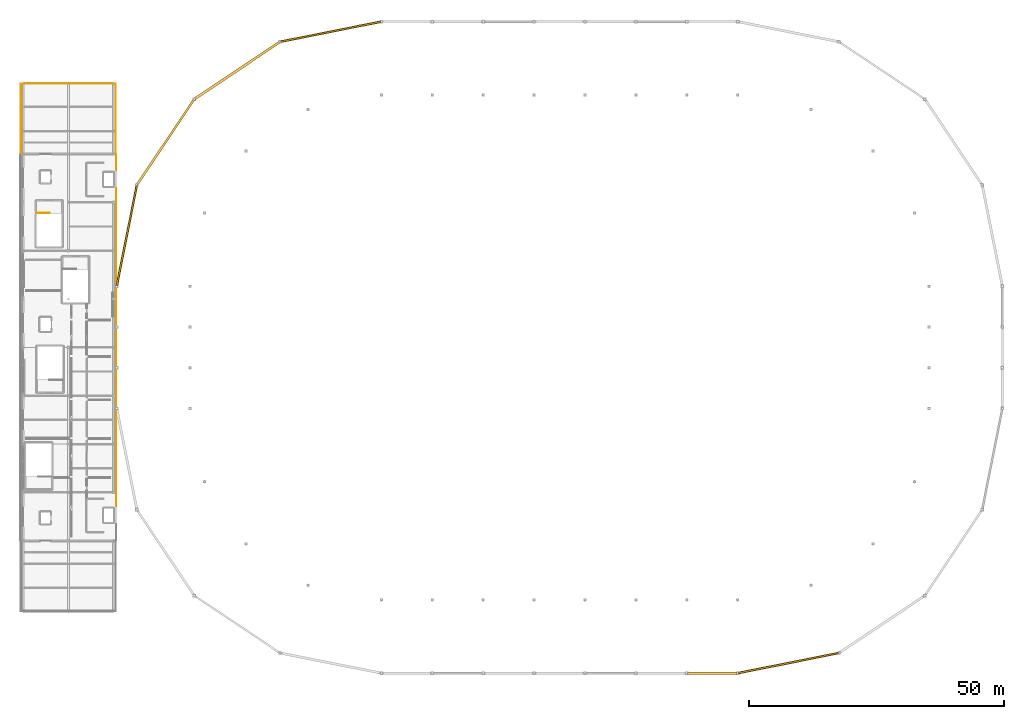
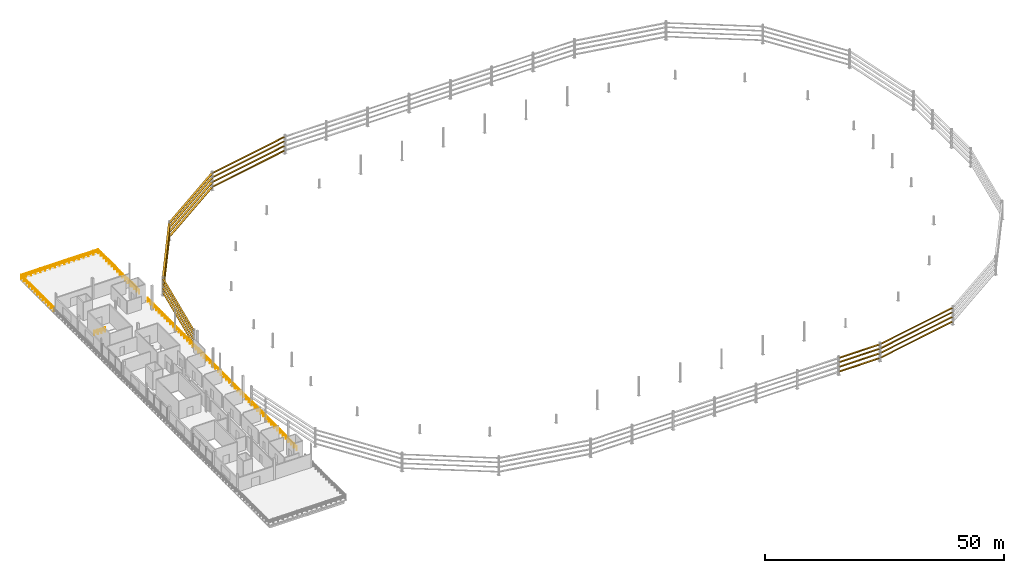
# One storey, part 28 of 29: 24 shading devices, 6 railings.
"""IFC4 building model written with IfcOpenShell, lengths in metres."""

from ifc_helpers import new_model, si_unit, direction, frame, origin, origin_2d, place, context, subcontext, project, spatial, rectangle, circle, extrude, material, layer, layer_set, type_object, element, save


model = new_model("IFC4")

# Units and contexts
model_context = context("Model", 3, precision=1e-05, world=origin(), true_north=direction((0.0, 1.0)))
body_context = subcontext(model_context, "Body", "Model", "MODEL_VIEW")
ifc_project = project(units=[si_unit("LENGTHUNIT", "METRE"), si_unit("AREAUNIT", "SQUARE_METRE"), si_unit("VOLUMEUNIT", "CUBIC_METRE"), si_unit("PLANEANGLEUNIT", "RADIAN"), si_unit("MASSUNIT", "GRAM", prefix="KILO")], contexts=[model_context])

# Site, building, storey
site_placement = place(None, origin())
site = spatial("IfcSite", under=ifc_project, at=site_placement, CompositionType="ELEMENT")
building_placement = place(site_placement, origin())
building = spatial("IfcBuilding", under=site, at=building_placement, Name="Candeia Ridge Stadium", CompositionType="ELEMENT")
storey_placement = place(building_placement, frame((0.0, 0.0, 27.0)))
storey = spatial("IfcBuildingStorey", under=building, at=storey_placement, Name="L05", CompositionType="ELEMENT", Elevation=27.0)

# Railings
ifc_material_1 = material(Name="Laminated Glass & Stainless Steel", Category="steel")
ifc_layer_1 = layer(ifc_material_1, 0.080078125, Name="Laminated Glass & Stainless Steel", Category="steel")
ifc_layer_set_1 = layer_set([ifc_layer_1], Name="Laminated Glass & Stainless Steel")
railing_type_1 = type_object("IfcRailingType", Name="Planted Terrace Glass-Steel Guard 1150", PredefinedType="BALUSTRADE", material=ifc_layer_set_1)
railing_1_placement = place(storey_placement, frame((0.199951171875, 121.199951171875, 0.0)))
element("IfcRailing", 1, at=railing_1_placement, inside=storey, type_object=railing_type_1, Name="Terrace perimeter balustrade GR-TER-217", PredefinedType="BALUSTRADE", context=body_context, shape_type="SweptSolid", body=[
    extrude(circle(Radius=0.02392578125, at=origin_2d()), frame((0.0, 0.0, 1.1259765625), z_axis=(0.0, 1.0, 0.0), x_axis=(-1.0, 0.0, 0.0)), (0.0, 0.0, 1.0), 13.60009765625),
    extrude(circle(Radius=0.02392578125, at=origin_2d()), frame((0.0, 0.0, 0.574951171875), z_axis=(0.0, 1.0, 0.0), x_axis=(-1.0, 0.0, 0.0)), (0.0, 0.0, 1.0), 13.60009765625),
    extrude(circle(Radius=0.02099609375, at=origin_2d()), origin(), (0.0, 0.0, 1.0), 1.101806640625),
    extrude(circle(Radius=0.02099609375, at=origin_2d()), frame((0.0, 1.13330078125, 0.0)), (0.0, 0.0, 1.0), 1.101806640625),
    extrude(circle(Radius=0.02099609375, at=origin_2d()), frame((0.0, 2.2666015625, 0.0)), (0.0, 0.0, 1.0), 1.101806640625),
    extrude(circle(Radius=0.02099609375, at=origin_2d()), frame((0.0, 3.39990234375, 0.0)), (0.0, 0.0, 1.0), 1.101806640625),
    extrude(circle(Radius=0.02099609375, at=origin_2d()), frame((0.0, 4.533447265625, 0.0)), (0.0, 0.0, 1.0), 1.101806640625),
    extrude(circle(Radius=0.02099609375, at=origin_2d()), frame((0.0, 5.666748046875, 0.0)), (0.0, 0.0, 1.0), 1.101806640625),
    extrude(circle(Radius=0.02099609375, at=origin_2d()), frame((0.0, 6.800048828125, 0.0)), (0.0, 0.0, 1.0), 1.101806640625),
    extrude(circle(Radius=0.02099609375, at=origin_2d()), frame((0.0, 7.933349609375, 0.0)), (0.0, 0.0, 1.0), 1.101806640625),
    extrude(circle(Radius=0.02099609375, at=origin_2d()), frame((0.0, 9.066650390625, 0.0)), (0.0, 0.0, 1.0), 1.101806640625),
    extrude(circle(Radius=0.02099609375, at=origin_2d()), frame((0.0, 10.2001953125, 0.0)), (0.0, 0.0, 1.0), 1.101806640625),
    extrude(circle(Radius=0.02099609375, at=origin_2d()), frame((0.0, 11.33349609375, 0.0)), (0.0, 0.0, 1.0), 1.101806640625),
    extrude(circle(Radius=0.02099609375, at=origin_2d()), frame((0.0, 12.466796875, 0.0)), (0.0, 0.0, 1.0), 1.101806640625),
    extrude(circle(Radius=0.02099609375, at=origin_2d()), frame((0.0, 13.60009765625, 0.0)), (0.0, 0.0, 1.0), 1.101806640625),
])
railing_2_placement = place(storey_placement, frame((0.199951171875, 134.800048828125, 0.0)))
element("IfcRailing", 2, at=railing_2_placement, inside=storey, type_object=railing_type_1, Name="Terrace perimeter balustrade GR-TER-218", PredefinedType="BALUSTRADE", context=body_context, shape_type="SweptSolid", body=[
    extrude(circle(Radius=0.02392578125, at=origin_2d()), frame((0.0, 0.0, 1.1259765625), z_axis=(1.0, 0.0, 0.0), x_axis=(0.0, 1.0, 0.0)), (0.0, 0.0, 1.0), 18.60009765625),
    extrude(circle(Radius=0.02392578125, at=origin_2d()), frame((0.0, 0.0, 0.574951171875), z_axis=(1.0, 0.0, 0.0), x_axis=(0.0, 1.0, 0.0)), (0.0, 0.0, 1.0), 18.60009765625),
    extrude(circle(Radius=0.02099609375, at=origin_2d()), origin(), (0.0, 0.0, 1.0), 1.101806640625),
    extrude(circle(Radius=0.02099609375, at=origin_2d()), frame((1.16259765625, 0.0, 0.0)), (0.0, 0.0, 1.0), 1.101806640625),
    extrude(circle(Radius=0.02099609375, at=origin_2d()), frame((2.324951171875, 0.0, 0.0)), (0.0, 0.0, 1.0), 1.101806640625),
    extrude(circle(Radius=0.02099609375, at=origin_2d()), frame((3.487548828125, 0.0, 0.0)), (0.0, 0.0, 1.0), 1.101806640625),
    extrude(circle(Radius=0.02099609375, at=origin_2d()), frame((4.64990234375, 0.0, 0.0)), (0.0, 0.0, 1.0), 1.101806640625),
    extrude(circle(Radius=0.02099609375, at=origin_2d()), frame((5.8125, 0.0, 0.0)), (0.0, 0.0, 1.0), 1.101806640625),
    extrude(circle(Radius=0.02099609375, at=origin_2d()), frame((6.97509765625, 0.0, 0.0)), (0.0, 0.0, 1.0), 1.101806640625),
    extrude(circle(Radius=0.02099609375, at=origin_2d()), frame((8.137451171875, 0.0, 0.0)), (0.0, 0.0, 1.0), 1.101806640625),
    extrude(circle(Radius=0.02099609375, at=origin_2d()), frame((9.300048828125, 0.0, 0.0)), (0.0, 0.0, 1.0), 1.101806640625),
    extrude(circle(Radius=0.02099609375, at=origin_2d()), frame((10.462646484375, 0.0, 0.0)), (0.0, 0.0, 1.0), 1.101806640625),
    extrude(circle(Radius=0.02099609375, at=origin_2d()), frame((11.625, 0.0, 0.0)), (0.0, 0.0, 1.0), 1.101806640625),
    extrude(circle(Radius=0.02099609375, at=origin_2d()), frame((12.78759765625, 0.0, 0.0)), (0.0, 0.0, 1.0), 1.101806640625),
    extrude(circle(Radius=0.02099609375, at=origin_2d()), frame((13.9501953125, 0.0, 0.0)), (0.0, 0.0, 1.0), 1.101806640625),
    extrude(circle(Radius=0.02099609375, at=origin_2d()), frame((15.112548828125, 0.0, 0.0)), (0.0, 0.0, 1.0), 1.101806640625),
    extrude(circle(Radius=0.02099609375, at=origin_2d()), frame((16.275146484375, 0.0, 0.0)), (0.0, 0.0, 1.0), 1.101806640625),
    extrude(circle(Radius=0.02099609375, at=origin_2d()), frame((17.4375, 0.0, 0.0)), (0.0, 0.0, 1.0), 1.101806640625),
    extrude(circle(Radius=0.02099609375, at=origin_2d()), frame((18.60009765625, 0.0, 0.0)), (0.0, 0.0, 1.0), 1.101806640625),
])
railing_3_placement = place(storey_placement, frame((18.800048828125, 134.800048828125, 0.0)))
element("IfcRailing", 3, at=railing_3_placement, inside=storey, type_object=railing_type_1, Name="Terrace perimeter balustrade GR-TER-219", PredefinedType="BALUSTRADE", context=body_context, shape_type="SweptSolid", body=[
    extrude(circle(Radius=0.02392578125, at=origin_2d()), frame((0.0, 0.0, 1.1259765625), z_axis=(0.0, -1.0, 0.0), x_axis=(1.0, 0.0, 0.0)), (0.0, 0.0, 1.0), 13.60009765625),
    extrude(circle(Radius=0.02392578125, at=origin_2d()), frame((0.0, 0.0, 0.574951171875), z_axis=(0.0, -1.0, 0.0), x_axis=(1.0, 0.0, 0.0)), (0.0, 0.0, 1.0), 13.60009765625),
    extrude(circle(Radius=0.02099609375, at=origin_2d()), origin(), (0.0, 0.0, 1.0), 1.101806640625),
    extrude(circle(Radius=0.02099609375, at=origin_2d()), frame((0.0, -1.13330078125, 0.0)), (0.0, 0.0, 1.0), 1.101806640625),
    extrude(circle(Radius=0.02099609375, at=origin_2d()), frame((0.0, -2.2666015625, 0.0)), (0.0, 0.0, 1.0), 1.101806640625),
    extrude(circle(Radius=0.02099609375, at=origin_2d()), frame((0.0, -3.39990234375, 0.0)), (0.0, 0.0, 1.0), 1.101806640625),
    extrude(circle(Radius=0.02099609375, at=origin_2d()), frame((0.0, -4.533447265625, 0.0)), (0.0, 0.0, 1.0), 1.101806640625),
    extrude(circle(Radius=0.02099609375, at=origin_2d()), frame((0.0, -5.666748046875, 0.0)), (0.0, 0.0, 1.0), 1.101806640625),
    extrude(circle(Radius=0.02099609375, at=origin_2d()), frame((0.0, -6.800048828125, 0.0)), (0.0, 0.0, 1.0), 1.101806640625),
    extrude(circle(Radius=0.02099609375, at=origin_2d()), frame((0.0, -7.933349609375, 0.0)), (0.0, 0.0, 1.0), 1.101806640625),
    extrude(circle(Radius=0.02099609375, at=origin_2d()), frame((0.0, -9.066650390625, 0.0)), (0.0, 0.0, 1.0), 1.101806640625),
    extrude(circle(Radius=0.02099609375, at=origin_2d()), frame((0.0, -10.2001953125, 0.0)), (0.0, 0.0, 1.0), 1.101806640625),
    extrude(circle(Radius=0.02099609375, at=origin_2d()), frame((0.0, -11.33349609375, 0.0)), (0.0, 0.0, 1.0), 1.101806640625),
    extrude(circle(Radius=0.02099609375, at=origin_2d()), frame((0.0, -12.466796875, 0.0)), (0.0, 0.0, 1.0), 1.101806640625),
    extrude(circle(Radius=0.02099609375, at=origin_2d()), frame((0.0, -13.60009765625, 0.0)), (0.0, 0.0, 1.0), 1.101806640625),
])
ifc_material_2 = material(Name="Galvanized Powder-Coated Steel", Category="steel")
ifc_layer_2 = layer(ifc_material_2, 0.074951171875, Name="Galvanized Powder-Coated Steel", Category="steel")
ifc_layer_set_2 = layer_set([ifc_layer_2], Name="Galvanized Powder-Coated Steel")
railing_type_2 = type_object("IfcRailingType", Name="Spectator Bowl Front Guardrail 1120", PredefinedType="GUARDRAIL", material=ifc_layer_set_2)
railing_4_placement = place(storey_placement, frame((18.919921875, 120.830810546875, 0.0)))
element("IfcRailing", 4, at=railing_4_placement, inside=storey, type_object=railing_type_2, Name="Deck edge safety guardrail GR-DE-L05-0248", PredefinedType="GUARDRAIL", context=body_context, shape_type="SweptSolid", body=[
    extrude(circle(Radius=0.02392578125, at=origin_2d()), frame((0.0, 0.0, 1.09619140625), z_axis=(0.0, -1.0, 0.0), x_axis=(1.0, 0.0, 0.0)), (0.0, 0.0, 1.0), 3.0458984375),
    extrude(circle(Radius=0.02392578125, at=origin_2d()), frame((0.0, 0.0, 0.56005859375), z_axis=(0.0, -1.0, 0.0), x_axis=(1.0, 0.0, 0.0)), (0.0, 0.0, 1.0), 3.0458984375),
    extrude(circle(Radius=0.02099609375, at=origin_2d()), origin(), (0.0, 0.0, 1.0), 1.072021484375),
    extrude(circle(Radius=0.02099609375, at=origin_2d()), frame((0.0, -1.015380859375, 0.0)), (0.0, 0.0, 1.0), 1.072021484375),
    extrude(circle(Radius=0.02099609375, at=origin_2d()), frame((0.0, -2.030517578125, 0.0)), (0.0, 0.0, 1.0), 1.072021484375),
    extrude(circle(Radius=0.02099609375, at=origin_2d()), frame((0.0, -3.0458984375, 0.0)), (0.0, 0.0, 1.0), 1.072021484375),
])
railing_5_placement = place(storey_placement, frame((18.919921875, 114.215087890625, 0.0)))
element("IfcRailing", 5, at=railing_5_placement, inside=storey, type_object=railing_type_2, Name="Deck edge safety guardrail GR-DE-L05-0249", PredefinedType="GUARDRAIL", context=body_context, shape_type="SweptSolid", body=[
    extrude(circle(Radius=0.02392578125, at=origin_2d()), frame((0.0, 0.0, 1.09619140625), z_axis=(0.0, -1.0, 0.0), x_axis=(1.0, 0.0, 0.0)), (0.0, 0.0, 1.0), 62.43017578125),
    extrude(circle(Radius=0.02392578125, at=origin_2d()), frame((0.0, 0.0, 0.56005859375), z_axis=(0.0, -1.0, 0.0), x_axis=(1.0, 0.0, 0.0)), (0.0, 0.0, 1.0), 62.43017578125),
    extrude(circle(Radius=0.02099609375, at=origin_2d()), origin(), (0.0, 0.0, 1.0), 1.072021484375),
    extrude(circle(Radius=0.02099609375, at=origin_2d()), frame((0.0, -1.177978515625, 0.0)), (0.0, 0.0, 1.0), 1.072021484375),
    extrude(circle(Radius=0.02099609375, at=origin_2d()), frame((0.0, -2.35595703125, 0.0)), (0.0, 0.0, 1.0), 1.072021484375),
    extrude(circle(Radius=0.02099609375, at=origin_2d()), frame((0.0, -3.53369140625, 0.0)), (0.0, 0.0, 1.0), 1.072021484375),
    extrude(circle(Radius=0.02099609375, at=origin_2d()), frame((0.0, -4.711669921875, 0.0)), (0.0, 0.0, 1.0), 1.072021484375),
    extrude(circle(Radius=0.02099609375, at=origin_2d()), frame((0.0, -5.8896484375, 0.0)), (0.0, 0.0, 1.0), 1.072021484375),
    extrude(circle(Radius=0.02099609375, at=origin_2d()), frame((0.0, -7.067626953125, 0.0)), (0.0, 0.0, 1.0), 1.072021484375),
    extrude(circle(Radius=0.02099609375, at=origin_2d()), frame((0.0, -8.24560546875, 0.0)), (0.0, 0.0, 1.0), 1.072021484375),
    extrude(circle(Radius=0.02099609375, at=origin_2d()), frame((0.0, -9.42333984375, 0.0)), (0.0, 0.0, 1.0), 1.072021484375),
    extrude(circle(Radius=0.02099609375, at=origin_2d()), frame((0.0, -10.601318359375, 0.0)), (0.0, 0.0, 1.0), 1.072021484375),
    extrude(circle(Radius=0.02099609375, at=origin_2d()), frame((0.0, -11.779296875, 0.0)), (0.0, 0.0, 1.0), 1.072021484375),
    extrude(circle(Radius=0.02099609375, at=origin_2d()), frame((0.0, -12.957275390625, 0.0)), (0.0, 0.0, 1.0), 1.072021484375),
    extrude(circle(Radius=0.02099609375, at=origin_2d()), frame((0.0, -14.13525390625, 0.0)), (0.0, 0.0, 1.0), 1.072021484375),
    extrude(circle(Radius=0.02099609375, at=origin_2d()), frame((0.0, -15.31298828125, 0.0)), (0.0, 0.0, 1.0), 1.072021484375),
    extrude(circle(Radius=0.02099609375, at=origin_2d()), frame((0.0, -16.490966796875, 0.0)), (0.0, 0.0, 1.0), 1.072021484375),
    extrude(circle(Radius=0.02099609375, at=origin_2d()), frame((0.0, -17.6689453125, 0.0)), (0.0, 0.0, 1.0), 1.072021484375),
    extrude(circle(Radius=0.02099609375, at=origin_2d()), frame((0.0, -18.846923828125, 0.0)), (0.0, 0.0, 1.0), 1.072021484375),
    extrude(circle(Radius=0.02099609375, at=origin_2d()), frame((0.0, -20.024658203125, 0.0)), (0.0, 0.0, 1.0), 1.072021484375),
    extrude(circle(Radius=0.02099609375, at=origin_2d()), frame((0.0, -21.20263671875, 0.0)), (0.0, 0.0, 1.0), 1.072021484375),
    extrude(circle(Radius=0.02099609375, at=origin_2d()), frame((0.0, -22.380615234375, 0.0)), (0.0, 0.0, 1.0), 1.072021484375),
    extrude(circle(Radius=0.02099609375, at=origin_2d()), frame((0.0, -23.55859375, 0.0)), (0.0, 0.0, 1.0), 1.072021484375),
    extrude(circle(Radius=0.02099609375, at=origin_2d()), frame((0.0, -24.736572265625, 0.0)), (0.0, 0.0, 1.0), 1.072021484375),
    extrude(circle(Radius=0.02099609375, at=origin_2d()), frame((0.0, -25.914306640625, 0.0)), (0.0, 0.0, 1.0), 1.072021484375),
    extrude(circle(Radius=0.02099609375, at=origin_2d()), frame((0.0, -27.09228515625, 0.0)), (0.0, 0.0, 1.0), 1.072021484375),
    extrude(circle(Radius=0.02099609375, at=origin_2d()), frame((0.0, -28.270263671875, 0.0)), (0.0, 0.0, 1.0), 1.072021484375),
    extrude(circle(Radius=0.02099609375, at=origin_2d()), frame((0.0, -29.4482421875, 0.0)), (0.0, 0.0, 1.0), 1.072021484375),
    extrude(circle(Radius=0.02099609375, at=origin_2d()), frame((0.0, -30.626220703125, 0.0)), (0.0, 0.0, 1.0), 1.072021484375),
    extrude(circle(Radius=0.02099609375, at=origin_2d()), frame((0.0, -31.803955078125, 0.0)), (0.0, 0.0, 1.0), 1.072021484375),
    extrude(circle(Radius=0.02099609375, at=origin_2d()), frame((0.0, -32.98193359375, 0.0)), (0.0, 0.0, 1.0), 1.072021484375),
    extrude(circle(Radius=0.02099609375, at=origin_2d()), frame((0.0, -34.159912109375, 0.0)), (0.0, 0.0, 1.0), 1.072021484375),
    extrude(circle(Radius=0.02099609375, at=origin_2d()), frame((0.0, -35.337890625, 0.0)), (0.0, 0.0, 1.0), 1.072021484375),
    extrude(circle(Radius=0.02099609375, at=origin_2d()), frame((0.0, -36.515869140625, 0.0)), (0.0, 0.0, 1.0), 1.072021484375),
    extrude(circle(Radius=0.02099609375, at=origin_2d()), frame((0.0, -37.693603515625, 0.0)), (0.0, 0.0, 1.0), 1.072021484375),
    extrude(circle(Radius=0.02099609375, at=origin_2d()), frame((0.0, -38.87158203125, 0.0)), (0.0, 0.0, 1.0), 1.072021484375),
    extrude(circle(Radius=0.02099609375, at=origin_2d()), frame((0.0, -40.049560546875, 0.0)), (0.0, 0.0, 1.0), 1.072021484375),
    extrude(circle(Radius=0.02099609375, at=origin_2d()), frame((0.0, -41.2275390625, 0.0)), (0.0, 0.0, 1.0), 1.072021484375),
    extrude(circle(Radius=0.02099609375, at=origin_2d()), frame((0.0, -42.405517578125, 0.0)), (0.0, 0.0, 1.0), 1.072021484375),
    extrude(circle(Radius=0.02099609375, at=origin_2d()), frame((0.0, -43.583251953125, 0.0)), (0.0, 0.0, 1.0), 1.072021484375),
    extrude(circle(Radius=0.02099609375, at=origin_2d()), frame((0.0, -44.76123046875, 0.0)), (0.0, 0.0, 1.0), 1.072021484375),
    extrude(circle(Radius=0.02099609375, at=origin_2d()), frame((0.0, -45.939208984375, 0.0)), (0.0, 0.0, 1.0), 1.072021484375),
    extrude(circle(Radius=0.02099609375, at=origin_2d()), frame((0.0, -47.1171875, 0.0)), (0.0, 0.0, 1.0), 1.072021484375),
    extrude(circle(Radius=0.02099609375, at=origin_2d()), frame((0.0, -48.294921875, 0.0)), (0.0, 0.0, 1.0), 1.072021484375),
    extrude(circle(Radius=0.02099609375, at=origin_2d()), frame((0.0, -49.472900390625, 0.0)), (0.0, 0.0, 1.0), 1.072021484375),
    extrude(circle(Radius=0.02099609375, at=origin_2d()), frame((0.0, -50.65087890625, 0.0)), (0.0, 0.0, 1.0), 1.072021484375),
    extrude(circle(Radius=0.02099609375, at=origin_2d()), frame((0.0, -51.828857421875, 0.0)), (0.0, 0.0, 1.0), 1.072021484375),
    extrude(circle(Radius=0.02099609375, at=origin_2d()), frame((0.0, -53.0068359375, 0.0)), (0.0, 0.0, 1.0), 1.072021484375),
    extrude(circle(Radius=0.02099609375, at=origin_2d()), frame((0.0, -54.1845703125, 0.0)), (0.0, 0.0, 1.0), 1.072021484375),
    extrude(circle(Radius=0.02099609375, at=origin_2d()), frame((0.0, -55.362548828125, 0.0)), (0.0, 0.0, 1.0), 1.072021484375),
    extrude(circle(Radius=0.02099609375, at=origin_2d()), frame((0.0, -56.54052734375, 0.0)), (0.0, 0.0, 1.0), 1.072021484375),
    extrude(circle(Radius=0.02099609375, at=origin_2d()), frame((0.0, -57.718505859375, 0.0)), (0.0, 0.0, 1.0), 1.072021484375),
    extrude(circle(Radius=0.02099609375, at=origin_2d()), frame((0.0, -58.896484375, 0.0)), (0.0, 0.0, 1.0), 1.072021484375),
    extrude(circle(Radius=0.02099609375, at=origin_2d()), frame((0.0, -60.07421875, 0.0)), (0.0, 0.0, 1.0), 1.072021484375),
    extrude(circle(Radius=0.02099609375, at=origin_2d()), frame((0.0, -61.252197265625, 0.0)), (0.0, 0.0, 1.0), 1.072021484375),
    extrude(circle(Radius=0.02099609375, at=origin_2d()), frame((0.0, -62.43017578125, 0.0)), (0.0, 0.0, 1.0), 1.072021484375),
])
ifc_layer_3 = layer(ifc_material_2, 0.06005859375, Name="Galvanized Powder-Coated Steel", Category="steel")
ifc_layer_set_3 = layer_set([ifc_layer_3], Name="Galvanized Powder-Coated Steel")
railing_type_3 = type_object("IfcRailingType", Name="Stair Well Guardrail 1100", PredefinedType="GUARDRAIL", material=ifc_layer_set_3)
railing_6_placement = place(storey_placement, frame((3.199951171875, 109.39990234375, 0.0)))
element("IfcRailing", 6, at=railing_6_placement, inside=storey, type_object=railing_type_3, Name="L05 ST06 top well guard 1", PredefinedType="GUARDRAIL", context=body_context, shape_type="SweptSolid", body=[
    extrude(circle(Radius=0.02392578125, at=origin_2d()), frame((0.0, 0.0, 1.076171875), z_axis=(1.0, 0.0, 0.0), x_axis=(0.0, 1.0, 0.0)), (0.0, 0.0, 1.0), 2.60009765625),
    extrude(circle(Radius=0.02392578125, at=origin_2d()), frame((0.0, 0.0, 0.550048828125), z_axis=(1.0, 0.0, 0.0), x_axis=(0.0, 1.0, 0.0)), (0.0, 0.0, 1.0), 2.60009765625),
    extrude(circle(Radius=0.02099609375, at=origin_2d()), origin(), (0.0, 0.0, 1.0), 1.052001953125),
    extrude(circle(Radius=0.02099609375, at=origin_2d()), frame((0.86669921875, 0.0, 0.0)), (0.0, 0.0, 1.0), 1.052001953125),
    extrude(circle(Radius=0.02099609375, at=origin_2d()), frame((1.7333984375, 0.0, 0.0)), (0.0, 0.0, 1.0), 1.052001953125),
    extrude(circle(Radius=0.02099609375, at=origin_2d()), frame((2.60009765625, 0.0, 0.0)), (0.0, 0.0, 1.0), 1.052001953125),
])

# Shading devices
ifc_material_3 = material(Name="Aluminium Anodized Warm Bronze", Category="aluminium")
shading_device_type_1 = type_object("IfcShadingDeviceType", Name="Weathered Bronze Horizontal Solar Rib 380x85", PredefinedType="JALOUSIE", material=ifc_material_3)
for number, where, z_axis, x_axis, name in (
    (7, (61.05029296875, 145.020751953125, 0.757568359375), (0.0, 0.0, 1.0), (-0.980785282416, -0.195090311899, 0.0), "Upper bowl horizontal solar rib L05 bay 08-1"),
    (8, (61.05029296875, 145.020751953125, 1.95751953125), (0.0, 0.0, 1.0), (-0.980785282416, -0.195090311899, 0.0), "Upper bowl horizontal solar rib L05 bay 08-2"),
    (9, (61.05029296875, 145.020751953125, 3.157470703125), (0.0, 0.0, 1.0), (-0.980785282416, -0.195090311899, 0.0), "Upper bowl horizontal solar rib L05 bay 08-3"),
    (10, (61.05029296875, 145.020751953125, 4.257568359375), (0.0, 0.0, 1.0), (-0.980785282416, -0.195090311899, 0.0), "Upper bowl horizontal solar rib L05 bay 08-4"),
    (11, (20.979248046875, 104.94970703125, 0.757568359375), (0.0, 0.0, 1.0), (-0.195090311899, -0.980785282416, 0.0), "Upper bowl horizontal solar rib L05 bay 11-1"),
    (12, (20.979248046875, 104.94970703125, 1.95751953125), (0.0, 0.0, 1.0), (-0.195090311899, -0.980785282416, 0.0), "Upper bowl horizontal solar rib L05 bay 11-2"),
    (13, (20.979248046875, 104.94970703125, 3.157470703125), (0.0, 0.0, 1.0), (-0.195090311899, -0.980785282416, 0.0), "Upper bowl horizontal solar rib L05 bay 11-3"),
    (14, (20.979248046875, 104.94970703125, 4.257568359375), (0.0, 0.0, 1.0), (-0.195090311899, -0.980785282416, 0.0), "Upper bowl horizontal solar rib L05 bay 11-4"),
    (15, (150.94970703125, 20.979248046875, 0.757568359375), (0.0, 0.0, 1.0), (0.980785282416, 0.195090311899, 0.0), "Upper bowl horizontal solar rib L05 bay 26-1"),
    (16, (150.94970703125, 20.979248046875, 1.95751953125), (0.0, 0.0, 1.0), (0.980785282416, 0.195090311899, 0.0), "Upper bowl horizontal solar rib L05 bay 26-2"),
    (17, (150.94970703125, 20.979248046875, 3.157470703125), (0.0, 0.0, 1.0), (0.980785282416, 0.195090311899, 0.0), "Upper bowl horizontal solar rib L05 bay 26-3"),
    (18, (150.94970703125, 20.979248046875, 4.257568359375), (0.0, 0.0, 1.0), (0.980785282416, 0.195090311899, 0.0), "Upper bowl horizontal solar rib L05 bay 26-4"),
):
    element("IfcShadingDevice", number, at=place(storey_placement, frame(where, z_axis=z_axis, x_axis=x_axis)), inside=storey, type_object=shading_device_type_1, Name=name, PredefinedType="JALOUSIE", context=body_context, shape_type="SweptSolid", body=[
        extrude(rectangle(XDim=19.989501953125, YDim=0.3798828125, at=origin_2d()), origin(), (0.0, 0.0, 1.0), 0.0849609375),
    ])
shading_device_type_2 = type_object("IfcShadingDeviceType", Name="Weathered Bronze Horizontal Solar Rib 440x95", PredefinedType="JALOUSIE", material=ifc_material_3)
for number, where, z_axis, x_axis, name in (
    (19, (28.59423828125, 123.33447265625, 0.75244140625), (0.0, 0.0, 1.0), (-0.555570211063, -0.831469626973, 0.0), "Upper bowl horizontal solar rib L05 bay 10-1"),
    (20, (28.59423828125, 123.33447265625, 1.95263671875), (0.0, 0.0, 1.0), (-0.555570211063, -0.831469626973, 0.0), "Upper bowl horizontal solar rib L05 bay 10-2"),
    (21, (28.59423828125, 123.33447265625, 3.15234375), (0.0, 0.0, 1.0), (-0.555570211063, -0.831469626973, 0.0), "Upper bowl horizontal solar rib L05 bay 10-3"),
    (22, (28.59423828125, 123.33447265625, 4.25244140625), (0.0, 0.0, 1.0), (-0.555570211063, -0.831469626973, 0.0), "Upper bowl horizontal solar rib L05 bay 10-4"),
):
    element("IfcShadingDevice", number, at=place(storey_placement, frame(where, z_axis=z_axis, x_axis=x_axis)), inside=storey, type_object=shading_device_type_2, Name=name, PredefinedType="JALOUSIE", context=body_context, shape_type="SweptSolid", body=[
        extrude(rectangle(XDim=19.989501953125, YDim=0.43994140625, at=origin_2d()), origin(), (0.0, 0.0, 1.0), 0.094970703125),
    ])
for number, where, z_axis, x_axis, name in (
    (23, (136.0, 19.0, 0.75244140625), (0.0, 0.0, 1.0), (1.0, 0.0, 0.0), "Upper bowl horizontal solar rib L05 bay 25-1"),
    (24, (136.0, 19.0, 1.95263671875), (0.0, 0.0, 1.0), (1.0, 0.0, 0.0), "Upper bowl horizontal solar rib L05 bay 25-2"),
    (25, (136.0, 19.0, 3.15234375), (0.0, 0.0, 1.0), (1.0, 0.0, 0.0), "Upper bowl horizontal solar rib L05 bay 25-3"),
    (26, (136.0, 19.0, 4.25244140625), (0.0, 0.0, 1.0), (1.0, 0.0, 0.0), "Upper bowl horizontal solar rib L05 bay 25-4"),
):
    element("IfcShadingDevice", number, at=place(storey_placement, frame(where, z_axis=z_axis, x_axis=x_axis)), inside=storey, type_object=shading_device_type_2, Name=name, PredefinedType="JALOUSIE", context=body_context, shape_type="SweptSolid", body=[
        extrude(rectangle(XDim=9.699951171875, YDim=0.43994140625, at=origin_2d()), origin(), (0.0, 0.0, 1.0), 0.094970703125),
    ])
shading_device_type_3 = type_object("IfcShadingDeviceType", Name="Weathered Bronze Horizontal Solar Rib 500x105", PredefinedType="JALOUSIE", material=ifc_material_3)
for number, where, z_axis, x_axis, name in (
    (27, (42.66552734375, 137.40576171875, 0.74755859375), (0.0, 0.0, 1.0), (-0.831469626973, -0.555570211063, 0.0), "Upper bowl horizontal solar rib L05 bay 09-1"),
    (28, (42.66552734375, 137.40576171875, 1.947509765625), (0.0, 0.0, 1.0), (-0.831469626973, -0.555570211063, 0.0), "Upper bowl horizontal solar rib L05 bay 09-2"),
    (29, (42.66552734375, 137.40576171875, 3.1474609375), (0.0, 0.0, 1.0), (-0.831469626973, -0.555570211063, 0.0), "Upper bowl horizontal solar rib L05 bay 09-3"),
    (30, (42.66552734375, 137.40576171875, 4.24755859375), (0.0, 0.0, 1.0), (-0.831469626973, -0.555570211063, 0.0), "Upper bowl horizontal solar rib L05 bay 09-4"),
):
    element("IfcShadingDevice", number, at=place(storey_placement, frame(where, z_axis=z_axis, x_axis=x_axis)), inside=storey, type_object=shading_device_type_3, Name=name, PredefinedType="JALOUSIE", context=body_context, shape_type="SweptSolid", body=[
        extrude(rectangle(XDim=19.989501953125, YDim=0.5, at=origin_2d()), origin(), (0.0, 0.0, 1.0), 0.10498046875),
    ])

save(model, "model.ifc")
